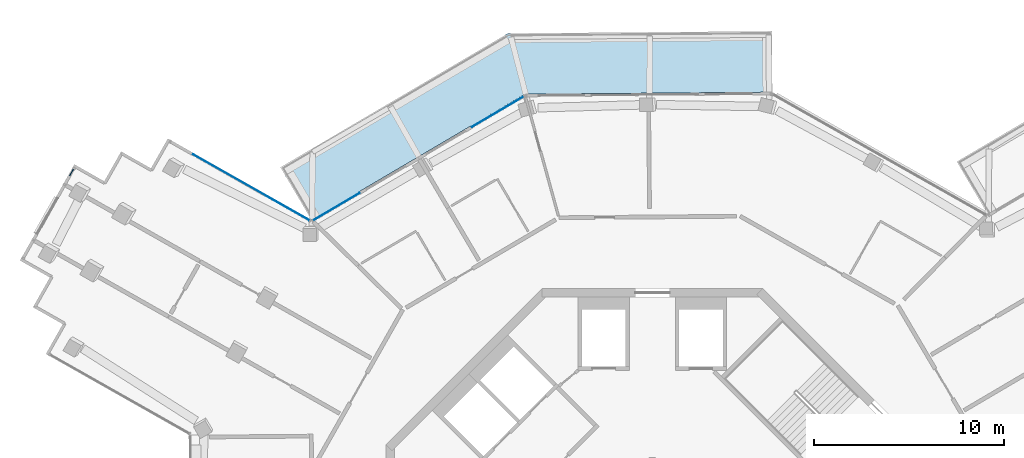
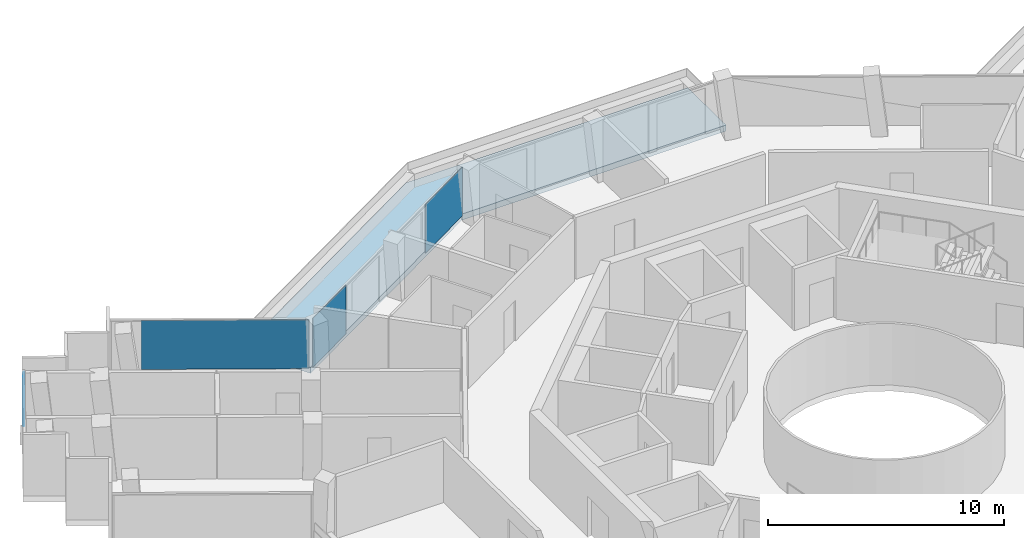
# One storey, part 15 of 26: 4 plates, 1 slab, 3 elements without a shape of their own.
"""IFC4 building model written with IfcOpenShell, lengths in metres."""

from ifc_helpers import new_model, si_unit, direction, frame, origin, origin_2d, place, context, subcontext, project, spatial, polyline, rectangle, outline, extrude, material, layer, layer_set, type_object, element, aggregate, save


model = new_model("IFC4")

# Units and contexts
model_context = context("Model", 3, precision=1e-05, world=origin(), true_north=direction((0.0, 1.0)))
body_context = subcontext(model_context, "Body", "Model", "MODEL_VIEW")
ifc_project = project(units=[si_unit("LENGTHUNIT", "METRE"), si_unit("AREAUNIT", "SQUARE_METRE"), si_unit("VOLUMEUNIT", "CUBIC_METRE"), si_unit("PLANEANGLEUNIT", "RADIAN"), si_unit("MASSUNIT", "GRAM", prefix="KILO")], contexts=[model_context])

# Site, building, storey
site_placement = place(None, origin())
site = spatial("IfcSite", under=ifc_project, at=site_placement, CompositionType="ELEMENT")
building_placement = place(site_placement, origin())
building = spatial("IfcBuilding", under=site, at=building_placement, Name="Verdalira Terraces Hotel", CompositionType="ELEMENT")
storey_placement = place(building_placement, frame((0.0, 0.0, 281.0)))
storey = spatial("IfcBuildingStorey", under=building, at=storey_placement, Name="L69", CompositionType="ELEMENT", Elevation=281.0)

# Slab
ifc_material_1 = material(Name="Precast concrete C40/50", Category="concrete")
ifc_layer_1 = layer(ifc_material_1, 0.31005859375)
ifc_layer_set_1 = layer_set([ifc_layer_1], Name="Balcony deck 310")
slab_type = type_object("IfcSlabType", Name="Balcony deck 310", PredefinedType="FLOOR", material=ifc_layer_set_1)
slab_placement = place(storey_placement, frame((0.0, 0.0, -0.310059)))
element("IfcSlab", 1, at=slab_placement, inside=storey, type_object=slab_type, Name="Balcony deck", PredefinedType="FLOOR", context=body_context, shape_type="SweptSolid", body=[
    extrude(outline(polyline([(-7.587158, 27.395752), (-19.529541, 20.366699), (-17.906494, 17.608887), (-6.702881, 24.203125), (6.296631, 24.312012), (6.269775, 27.511719), (-7.587158, 27.395752)])), origin(), (0.0, 0.0, 1.0), 0.310059),
])

# Curtain wall, plates
ifc_material_2 = material(Name="Clear glass", Category="glass")
ifc_layer_2 = layer(ifc_material_2, 0.14990234375)
ifc_layer_set_2 = layer_set([ifc_layer_2], Name="CW1 curtain wall")
curtain_wall_type_1 = type_object("IfcCurtainWallType", Name="CW1 curtain wall", PredefinedType="NOTDEFINED", material=ifc_layer_set_2)
curtain_wall_1_placement = place(storey_placement, origin())
curtain_wall_1 = element("IfcCurtainWall", 2, at=curtain_wall_1_placement, inside=storey, type_object=curtain_wall_type_1, Name="CW1 curtain wall L69 edge 41", PredefinedType="NOTDEFINED")
ifc_material_3 = material(Name="Clear glass", Category="glass")
ifc_layer_3 = layer(ifc_material_3, 0.028076171875)
ifc_layer_set_3 = layer_set([ifc_layer_3], Name="CW1 glass unit 28")
plate_type_1 = type_object("IfcPlateType", Name="CW1 glass unit 28", PredefinedType="CURTAIN_PANEL", material=ifc_layer_set_3)
plate_1_placement = place(storey_placement, frame((-8.108643, 23.288818, 0.0), z_axis=(0.0, 0.0, 1.0), x_axis=(-0.861806272, -0.507237567, 0.0)))
plate_1 = element("IfcPlate", 3, at=plate_1_placement, type_object=plate_type_1, Name="CW1 glass unit", PredefinedType="CURTAIN_PANEL", context=body_context, shape_type="SweptSolid", body=[
    extrude(rectangle(XDim=3.149902, YDim=0.028076, at=origin_2d()), origin(), (0.0, 0.0, 1.0), 2.524902),
])
plate_2_placement = place(storey_placement, frame((-16.5979, 18.292236, 0.0), z_axis=(0.0, 0.0, 1.0), x_axis=(-0.861806272, -0.507237567, 0.0)))
plate_2 = element("IfcPlate", 4, at=plate_2_placement, type_object=plate_type_1, Name="CW1 glass unit", PredefinedType="CURTAIN_PANEL", context=body_context, shape_type="SweptSolid", body=[
    extrude(rectangle(XDim=2.828613, YDim=0.028076, at=origin_2d()), origin(), (0.0, 0.0, 1.0), 2.524902),
])
aggregate(curtain_wall_1, [plate_1, plate_2])

# Curtain wall, plate
ifc_material_4 = material(Name="Clear glass", Category="glass")
ifc_layer_4 = layer(ifc_material_4, 0.14990234375)
ifc_layer_set_4 = layer_set([ifc_layer_4], Name="CW2 curtain wall")
curtain_wall_type_2 = type_object("IfcCurtainWallType", Name="CW2 curtain wall", PredefinedType="NOTDEFINED", material=ifc_layer_set_4)
curtain_wall_2_placement = place(storey_placement, origin())
curtain_wall_2 = element("IfcCurtainWall", 5, at=curtain_wall_2_placement, inside=storey, type_object=curtain_wall_type_2, Name="CW2 curtain wall L69 edge 0", PredefinedType="NOTDEFINED")
ifc_material_5 = material(Name="Clear glass", Category="glass")
ifc_layer_5 = layer(ifc_material_5, 0.031982421875)
ifc_layer_set_5 = layer_set([ifc_layer_5], Name="CW2 glass unit 32")
plate_type_2 = type_object("IfcPlateType", Name="CW2 glass unit 32", PredefinedType="CURTAIN_PANEL", material=ifc_layer_set_5)
plate_3_placement = place(storey_placement, frame((-21.093506, 19.327393, 0.0), z_axis=(0.0, 0.0, 1.0), x_axis=(-0.870183755, 0.492727342, 0.0)))
plate_3 = element("IfcPlate", 6, at=plate_3_placement, type_object=plate_type_2, Name="CW2 glass unit", PredefinedType="CURTAIN_PANEL", context=body_context, shape_type="SweptSolid", body=[
    extrude(rectangle(XDim=7.100098, YDim=0.031982, at=origin_2d()), origin(), (0.0, 0.0, 1.0), 2.524902),
])
aggregate(curtain_wall_2, [plate_3])

ifc_material_6 = material(Name="Clear glass", Category="glass")
ifc_layer_6 = layer(ifc_material_6, 0.14990234375)
ifc_layer_set_6 = layer_set([ifc_layer_6], Name="CW3 curtain wall")
curtain_wall_type_3 = type_object("IfcCurtainWallType", Name="CW3 curtain wall", PredefinedType="NOTDEFINED", material=ifc_layer_set_6)
curtain_wall_3_placement = place(storey_placement, origin())
curtain_wall_3 = element("IfcCurtainWall", 7, at=curtain_wall_3_placement, inside=storey, type_object=curtain_wall_type_3, Name="CW3 curtain wall L69 edge 5", PredefinedType="NOTDEFINED")
ifc_material_7 = material(Name="Clear glass", Category="glass")
ifc_layer_7 = layer(ifc_material_7, 0.035888671875)
ifc_layer_set_7 = layer_set([ifc_layer_7], Name="CW3 glass unit 36")
plate_type_3 = type_object("IfcPlateType", Name="CW3 glass unit 36", PredefinedType="CURTAIN_PANEL", material=ifc_layer_set_7)
plate_4_placement = place(storey_placement, frame((-30.495361, 20.105957, 0.0), z_axis=(0.0, 0.0, 1.0), x_axis=(-0.492727342, -0.870183755, 0.0)))
plate_4 = element("IfcPlate", 8, at=plate_4_placement, type_object=plate_type_3, Name="CW3 glass unit", PredefinedType="CURTAIN_PANEL", context=body_context, shape_type="SweptSolid", body=[
    extrude(rectangle(XDim=0.399902, YDim=0.035889, at=origin_2d()), origin(), (0.0, 0.0, 1.0), 2.524902),
])
aggregate(curtain_wall_3, [plate_4])

save(model, "model.ifc")
